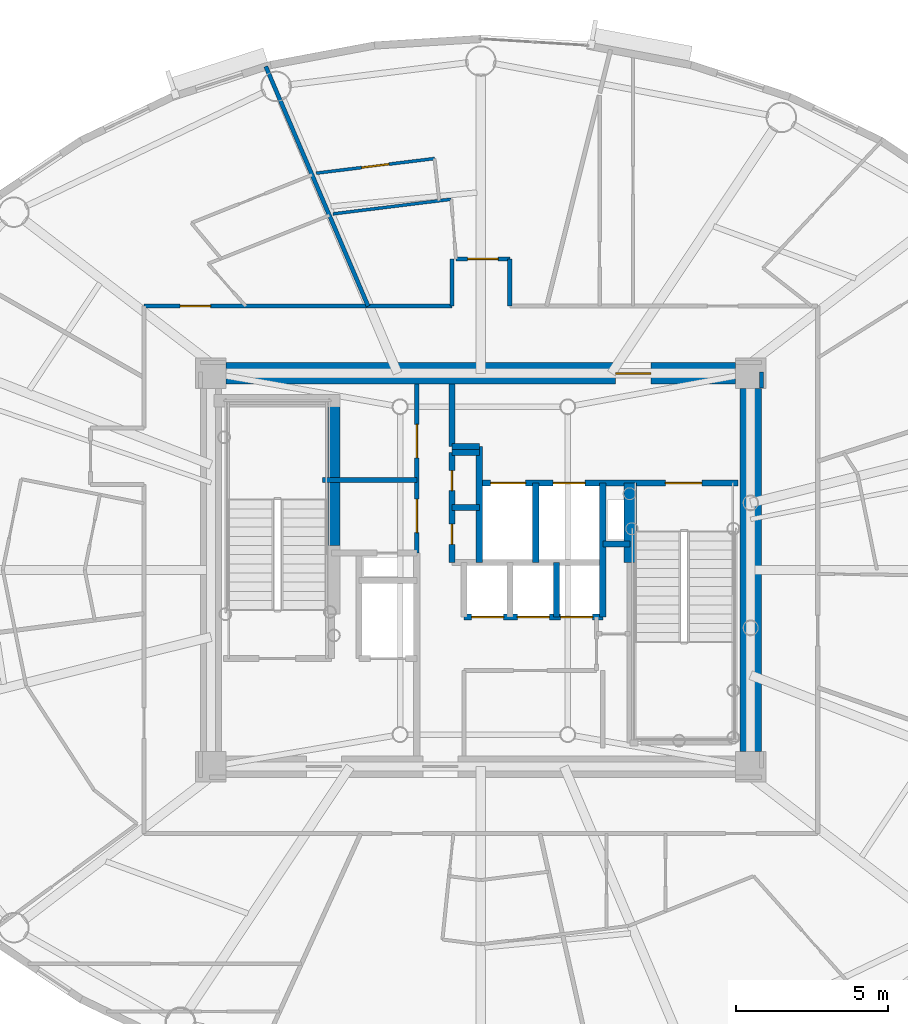
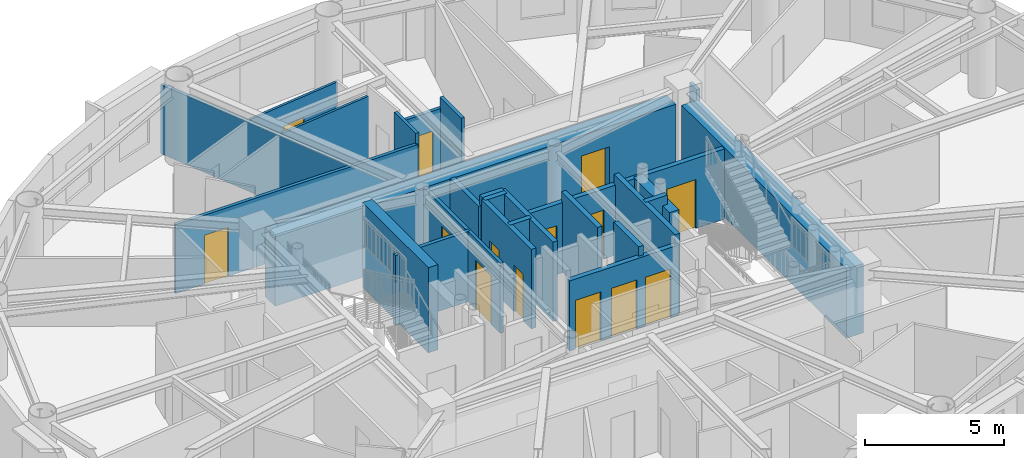
# One storey, part 8 of 17: 26 walls, 14 doors, 14 openings.
"""IFC4 building model written with IfcOpenShell, lengths in metres."""

from ifc_helpers import new_model, si_unit, direction, frame, frame_2d, origin, origin_2d, place, context, subcontext, project, spatial, rectangle, extrude, source, transform, mapped, material, layer, layer_set, type_object, element, fill, save


model = new_model("IFC4")

# Units and contexts
model_context = context("Model", 3, precision=1e-05, world=origin(), true_north=direction((0.0, 1.0)))
body_context = subcontext(model_context, "Body", "Model", "MODEL_VIEW")
ifc_project = project(units=[si_unit("LENGTHUNIT", "METRE"), si_unit("AREAUNIT", "SQUARE_METRE"), si_unit("VOLUMEUNIT", "CUBIC_METRE"), si_unit("PLANEANGLEUNIT", "RADIAN"), si_unit("MASSUNIT", "GRAM", prefix="KILO")], contexts=[model_context])

# Site, building, storey
site_placement = place(None, origin())
site = spatial("IfcSite", under=ifc_project, at=site_placement, CompositionType="ELEMENT")
building_placement = place(site_placement, origin())
building = spatial("IfcBuilding", under=site, at=building_placement, Name="Linh Dai School and Residence Tower", CompositionType="ELEMENT")
storey_placement = place(building_placement, frame((0.0, 0.0, 299.25)))
storey = spatial("IfcBuildingStorey", under=building, at=storey_placement, Name="L74", CompositionType="ELEMENT", Elevation=299.25)

# Wall, opening, door
ifc_material_1 = material(Name="Autoclaved Aerated Concrete Blockwork", Category="masonry")
ifc_layer_1 = layer(ifc_material_1, 0.135009765625)
ifc_layer_set_1 = layer_set([ifc_layer_1], Name="Autoclaved Aerated Concrete Blockwork")
wall_type_1 = type_object("IfcWallType", Name="IW-CORR-135-EI90", PredefinedType="PARTITIONING", material=ifc_layer_set_1)
wall_1_placement = place(storey_placement, frame((24.949951171875, 35.64990234375, 0.0), z_axis=(0.0, 0.0, 1.0), x_axis=(1.0, 0.0, 0.0)))
wall_1 = element("IfcWall", 1, at=wall_1_placement, inside=storey, type_object=wall_type_1, Name="L74 Interior Partition Wall 019", PredefinedType="PARTITIONING", context=body_context, shape_type="SweptSolid", body=[
    extrude(rectangle(XDim=10.10009765625, YDim=0.135009765625, at=frame_2d((5.050048828125, 0.0))), origin(), (0.0, 0.0, 1.0), 3.034912109375),
])
opening_1_placement = place(wall_1_placement, frame((1.192138671875, 0.0, 0.0)))
opening_1 = element("IfcOpeningElement", 2, at=opening_1_placement, cuts=wall_1, Name="Opening D03", PredefinedType="OPENING", context=body_context, shape_type="SweptSolid", body=[
    extrude(rectangle(XDim=1.0, YDim=2.14990234375, at=origin_2d()), frame((0.5, 0.07763671875, 1.074951171875), z_axis=(0.0, -1.0, 0.0), x_axis=(1.0, 0.0, 0.0)), (0.0, 0.0, 1.0), 0.155029296875),
])
ifc_material_2 = material(Name="Fire-Rated Solid Timber Entrance Door", Category="wood")
door_type_1 = type_object("IfcDoorType", Name="DR-FLAT-1000x2150-FD60S", OperationType="NOTDEFINED", PredefinedType="DOOR", material=ifc_material_2)
shared_shape_1 = source(origin(), body_context, "Body", "SweptSolid", [
    extrude(rectangle(XDim=1.0, YDim=2.14990234375, at=origin_2d()), frame((0.5, 0.02490234375, 1.074951171875), z_axis=(0.0, -1.0, 0.0), x_axis=(1.0, 0.0, 0.0)), (0.0, 0.0, 1.0), 0.050048828125),
])
door_1_placement = place(opening_1_placement, origin())
door_1 = element("IfcDoor", 3, at=door_1_placement, inside=storey, type_object=door_type_1, Name="L74 U7402 Apartment Entrance Door", OperationType="SINGLE_SWING_LEFT", OverallHeight=2.14990234375, OverallWidth=1.0, PredefinedType="DOOR", context=body_context, shape_type="MappedRepresentation", body=[
    mapped(shared_shape_1, transform((0.0, 0.0, 0.0), x_axis=(1.0, 0.0, 0.0), y_axis=(0.0, 1.0, 0.0), z_axis=(0.0, 0.0, 1.0), scale=1.0)),
])
fill(opening_1, door_1)

# Wall
wall_2_placement = place(storey_placement, frame((28.9462890625, 43.512939453125, 0.0), z_axis=(0.0, 0.0, 1.0), x_axis=(0.392833513872, -0.919609607594, 0.0)))
element("IfcWall", 4, at=wall_2_placement, inside=storey, type_object=wall_type_1, Name="L74 Interior Partition Wall 026", PredefinedType="PARTITIONING", context=body_context, shape_type="SweptSolid", body=[
    extrude(rectangle(XDim=8.55029296875, YDim=0.135009765625, at=frame_2d((4.275146484375, 0.0))), origin(), (0.0, 0.0, 1.0), 3.034912109375),
])

# Wall, openings, doors
wall_3_placement = place(storey_placement, frame((33.89990234375, 27.56005859375, 0.0), z_axis=(0.0, 0.0, 1.0), x_axis=(0.0, 1.0, 0.0)))
wall_3 = element("IfcWall", 5, at=wall_3_placement, inside=storey, type_object=wall_type_1, Name="L74 Interior Partition Wall 036", PredefinedType="PARTITIONING", context=body_context, shape_type="SweptSolid", body=[
    extrude(rectangle(XDim=5.5400390625, YDim=0.135009765625, at=frame_2d((2.77001953125, 0.0))), origin(), (0.0, 0.0, 1.0), 3.0849609375),
])
opening_2_placement = place(wall_3_placement, frame((0.6650390625, 0.0, 0.0)))
opening_2 = element("IfcOpeningElement", 6, at=opening_2_placement, cuts=wall_3, Name="Opening D07", PredefinedType="OPENING", context=body_context, shape_type="SweptSolid", body=[
    extrude(rectangle(XDim=1.10009765625, YDim=2.14990234375, at=origin_2d()), frame((0.550048828125, 0.07763671875, 1.074951171875), z_axis=(0.0, -1.0, 0.0), x_axis=(1.0, 0.0, 0.0)), (0.0, 0.0, 1.0), 0.155029296875),
])
opening_3_placement = place(wall_3_placement, frame((3.117431640625, 0.0, 0.0)))
opening_3 = element("IfcOpeningElement", 7, at=opening_3_placement, cuts=wall_3, Name="Opening D07", PredefinedType="OPENING", context=body_context, shape_type="SweptSolid", body=[
    extrude(rectangle(XDim=1.10009765625, YDim=2.14990234375, at=origin_2d()), frame((0.550048828125, 0.07763671875, 1.074951171875), z_axis=(0.0, -1.0, 0.0), x_axis=(1.0, 0.0, 0.0)), (0.0, 0.0, 1.0), 0.155029296875),
])
ifc_material_3 = material(Name="Fire-Rated Louvred Steel Plant Door", Category="steel")
door_type_2 = type_object("IfcDoorType", Name="DR-PLT-1100x2150-FD60S", OperationType="NOTDEFINED", PredefinedType="DOOR", material=ifc_material_3)
shared_shape_2 = source(origin(), body_context, "Body", "SweptSolid", [
    extrude(rectangle(XDim=1.10009765625, YDim=2.14990234375, at=origin_2d()), frame((0.550048828125, 0.02490234375, 1.074951171875), z_axis=(0.0, -1.0, 0.0), x_axis=(1.0, 0.0, 0.0)), (0.0, 0.0, 1.0), 0.050048828125),
])
door_2_placement = place(opening_2_placement, origin())
door_2 = element("IfcDoor", 8, at=door_2_placement, inside=storey, type_object=door_type_2, Name="L74 BMS and Data Room Door", OperationType="SINGLE_SWING_LEFT", OverallHeight=2.14990234375, OverallWidth=1.10009765625, PredefinedType="DOOR", context=body_context, shape_type="MappedRepresentation", body=[
    mapped(shared_shape_2, transform((0.0, 0.0, 0.0), x_axis=(1.0, 0.0, 0.0), y_axis=(0.0, 1.0, 0.0), z_axis=(0.0, 0.0, 1.0), scale=1.0)),
])
fill(opening_2, door_2)
door_3_placement = place(opening_3_placement, origin())
door_3 = element("IfcDoor", 9, at=door_3_placement, inside=storey, type_object=door_type_2, Name="L74 Housekeeping Linen Room Door", OperationType="SINGLE_SWING_RIGHT", OverallHeight=2.14990234375, OverallWidth=1.10009765625, PredefinedType="DOOR", context=body_context, shape_type="MappedRepresentation", body=[
    mapped(shared_shape_2, transform((0.0, 0.0, 0.0), x_axis=(1.0, 0.0, 0.0), y_axis=(0.0, 1.0, 0.0), z_axis=(0.0, 0.0, 1.0), scale=1.0)),
])
fill(opening_3, door_3)

# Wall
wall_4_placement = place(storey_placement, frame((35.050048828125, 35.64990234375, 0.0), z_axis=(0.0, 0.0, 1.0), x_axis=(0.0, 1.0, 0.0)))
element("IfcWall", 10, at=wall_4_placement, inside=storey, type_object=wall_type_1, Name="L74 Interior Partition Wall 048", PredefinedType="PARTITIONING", context=body_context, shape_type="SweptSolid", body=[
    extrude(rectangle(XDim=1.550048828125, YDim=0.135009765625, at=frame_2d((0.77490234375, 0.0))), origin(), (0.0, 0.0, 1.0), 3.5),
])

# Wall, opening, door
wall_5_placement = place(storey_placement, frame((35.185546875, 37.199951171875, 0.0), z_axis=(0.0, 0.0, 1.0), x_axis=(1.0, 0.0, 0.0)))
wall_5 = element("IfcWall", 11, at=wall_5_placement, inside=storey, type_object=wall_type_1, Name="L74 Interior Partition Wall 049", PredefinedType="PARTITIONING", context=body_context, shape_type="SweptSolid", body=[
    extrude(rectangle(XDim=1.764404296875, YDim=0.135009765625, at=frame_2d((0.88232421875, 0.0))), origin(), (0.0, 0.0, 1.0), 3.034912109375),
])
opening_4_placement = place(wall_5_placement, frame((0.382080078125, 0.0, 0.0)))
opening_4 = element("IfcOpeningElement", 12, at=opening_4_placement, cuts=wall_5, Name="Opening D03", PredefinedType="OPENING", context=body_context, shape_type="SweptSolid", body=[
    extrude(rectangle(XDim=1.0, YDim=2.14990234375, at=origin_2d()), frame((0.5, 0.07763671875, 1.074951171875), z_axis=(0.0, -1.0, 0.0), x_axis=(1.0, 0.0, 0.0)), (0.0, 0.0, 1.0), 0.155029296875),
])
door_4_placement = place(opening_4_placement, origin())
door_4 = element("IfcDoor", 13, at=door_4_placement, inside=storey, type_object=door_type_1, Name="L74 U7401 Apartment Entrance Door", OperationType="SINGLE_SWING_RIGHT", OverallHeight=2.14990234375, OverallWidth=1.0, PredefinedType="DOOR", context=body_context, shape_type="MappedRepresentation", body=[
    mapped(shared_shape_1, transform((0.0, 0.0, 0.0), x_axis=(1.0, 0.0, 0.0), y_axis=(0.0, 1.0, 0.0), z_axis=(0.0, 0.0, 1.0), scale=1.0)),
])
fill(opening_4, door_4)

# Walls
wall_6_placement = place(storey_placement, frame((36.949951171875, 35.64990234375, 0.0), z_axis=(0.0, 0.0, 1.0), x_axis=(0.0, 1.0, 0.0)))
element("IfcWall", 14, at=wall_6_placement, inside=storey, type_object=wall_type_1, Name="L74 Interior Partition Wall 058", PredefinedType="PARTITIONING", context=body_context, shape_type="SweptSolid", body=[
    extrude(rectangle(XDim=1.550048828125, YDim=0.135009765625, at=frame_2d((0.77490234375, 0.0))), origin(), (0.0, 0.0, 1.0), 3.5),
])
wall_7_placement = place(storey_placement, frame((45.199951171875, 32.9599609375, 0.0), z_axis=(0.0, 0.0, 1.0), x_axis=(0.0, 1.0, 0.0)))
element("IfcWall", 15, at=wall_7_placement, inside=storey, type_object=wall_type_1, Name="L74 Interior Partition Wall 099", PredefinedType="PARTITIONING", context=body_context, shape_type="SweptSolid", body=[
    extrude(rectangle(XDim=0.532470703125, YDim=0.135009765625, at=frame_2d((0.26611328125, 0.0))), origin(), (0.0, 0.0, 1.0), 3.5),
])
ifc_layer_2 = layer(ifc_material_1, 0.14990234375)
ifc_layer_set_2 = layer_set([ifc_layer_2], Name="Autoclaved Aerated Concrete Blockwork")
wall_type_2 = type_object("IfcWallType", Name="IW-SCH-150-EI60", PredefinedType="PARTITIONING", material=ifc_layer_set_2)
wall_8_placement = place(storey_placement, frame((30.800048828125, 29.949951171875, 0.0), z_axis=(0.0, 0.0, 1.0), x_axis=(1.0, 0.0, 0.0)))
element("IfcWall", 16, at=wall_8_placement, inside=storey, type_object=wall_type_2, Name="L74 Interior Partition Wall 028", PredefinedType="PARTITIONING", context=body_context, shape_type="SweptSolid", body=[
    extrude(rectangle(XDim=3.099853515625, YDim=0.14990234375, at=frame_2d((1.5498046875, 0.0))), origin(), (0.0, 0.0, 1.0), 3.0849609375),
])

# Wall, openings, doors
ifc_material_4 = material(Name="Concrete B45 (C35/45)", Category="concrete")
ifc_layer_3 = layer(ifc_material_4, 0.199951171875)
ifc_layer_set_3 = layer_set([ifc_layer_3], Name="Concrete B45 (C35/45)")
wall_type_3 = type_object("IfcWallType", Name="IW-SHAFT-200-EI120", PredefinedType="PARTITIONING", material=ifc_layer_set_3)
wall_9_placement = place(storey_placement, frame((35.050048828125, 27.25, 0.0), z_axis=(0.0, 0.0, 1.0), x_axis=(0.0, 1.0, 0.0)))
wall_9 = element("IfcWall", 17, at=wall_9_placement, inside=storey, type_object=wall_type_3, Name="L74 Interior Partition Wall 042", PredefinedType="PARTITIONING", context=body_context, shape_type="SweptSolid", body=[
    extrude(rectangle(XDim=3.60009765625, YDim=0.199951171875, at=frame_2d((1.800048828125, 0.0))), origin(), (0.0, 0.0, 1.0), 3.5),
])
opening_5_placement = place(wall_9_placement, frame((0.590087890625, 0.0, 0.0)))
opening_5 = element("IfcOpeningElement", 18, at=opening_5_placement, cuts=wall_9, Name="Opening AD1", PredefinedType="OPENING", context=body_context, shape_type="SweptSolid", body=[
    extrude(rectangle(XDim=0.659912109375, YDim=2.050048828125, at=origin_2d()), frame((0.330078125, 0.10986328125, 1.02490234375), z_axis=(0.0, -1.0, 0.0), x_axis=(1.0, 0.0, 0.0)), (0.0, 0.0, 1.0), 0.219970703125),
])
opening_6_placement = place(wall_9_placement, frame((2.35009765625, 0.0, 0.0)))
opening_6 = element("IfcOpeningElement", 19, at=opening_6_placement, cuts=wall_9, Name="Opening AD1", PredefinedType="OPENING", context=body_context, shape_type="SweptSolid", body=[
    extrude(rectangle(XDim=0.659912109375, YDim=2.050048828125, at=origin_2d()), frame((0.330078125, 0.10986328125, 1.02490234375), z_axis=(0.0, -1.0, 0.0), x_axis=(1.0, 0.0, 0.0)), (0.0, 0.0, 1.0), 0.219970703125),
])
ifc_material_5 = material(Name="Fire-Rated Steel Riser Access Door", Category="steel")
door_type_3 = type_object("IfcDoorType", Name="DR-ACC-660x2050-FD90S", OperationType="NOTDEFINED", PredefinedType="USERDEFINED", material=ifc_material_5)
shared_shape_3 = source(origin(), body_context, "Body", "SweptSolid", [
    extrude(rectangle(XDim=0.659912109375, YDim=2.050048828125, at=origin_2d()), frame((0.330078125, 0.02490234375, 1.02490234375), z_axis=(0.0, -1.0, 0.0), x_axis=(1.0, 0.0, 0.0)), (0.0, 0.0, 1.0), 0.050048828125),
])
door_5_placement = place(opening_5_placement, origin())
door_5 = element("IfcDoor", 20, at=door_5_placement, inside=storey, type_object=door_type_3, Name="L74 Telecom and Data Riser Access Door", ObjectType="ACCESS DOOR", OperationType="SINGLE_SWING_RIGHT", OverallHeight=2.050048828125, OverallWidth=0.659912109375, PredefinedType="USERDEFINED", context=body_context, shape_type="MappedRepresentation", body=[
    mapped(shared_shape_3, transform((0.0, 0.0, 0.0), x_axis=(1.0, 0.0, 0.0), y_axis=(0.0, 1.0, 0.0), z_axis=(0.0, 0.0, 1.0), scale=1.0)),
])
fill(opening_5, door_5)
door_6_placement = place(opening_6_placement, origin())
door_6 = element("IfcDoor", 21, at=door_6_placement, inside=storey, type_object=door_type_3, Name="L74 Mechanical and Plumbing Riser Access Door", ObjectType="ACCESS DOOR", OperationType="SINGLE_SWING_LEFT", OverallHeight=2.050048828125, OverallWidth=0.659912109375, PredefinedType="USERDEFINED", context=body_context, shape_type="MappedRepresentation", body=[
    mapped(shared_shape_3, transform((0.0, 0.0, 0.0), x_axis=(1.0, 0.0, 0.0), y_axis=(0.0, 1.0, 0.0), z_axis=(0.0, 0.0, 1.0), scale=1.0)),
])
fill(opening_6, door_6)

# Walls
for number, where, z_axis, x_axis, name in (
    (22, (35.050048828125, 29.050048828125, 0.0), (0.0, 0.0, 1.0), (1.0, 0.0, 0.0), "L74 Interior Partition Wall 044"),
    (23, (35.050048828125, 30.85009765625, 0.0), (0.0, 0.0, 1.0), (1.0, 0.0, 0.0), "L74 Interior Partition Wall 045"),
):
    element("IfcWall", number, at=place(storey_placement, frame(where, z_axis=z_axis, x_axis=x_axis)), inside=storey, type_object=wall_type_3, Name=name, PredefinedType="PARTITIONING", context=body_context, shape_type="SweptSolid", body=[
        extrude(rectangle(XDim=0.89990234375, YDim=0.199951171875, at=frame_2d((0.449951171875, 0.0))), origin(), (0.0, 0.0, 1.0), 3.5),
    ])
wall_10_placement = place(storey_placement, frame((35.050048828125, 31.050048828125, 0.0), z_axis=(0.0, 0.0, 1.0), x_axis=(0.0, 1.0, 0.0)))
element("IfcWall", 24, at=wall_10_placement, inside=storey, type_object=wall_type_3, Name="L74 Interior Partition Wall 046", PredefinedType="PARTITIONING", context=body_context, shape_type="SweptSolid", body=[
    extrude(rectangle(XDim=2.050048828125, YDim=0.199951171875, at=frame_2d((1.02490234375, 0.0))), origin(), (0.0, 0.0, 1.0), 3.0849609375),
])
wall_11_placement = place(storey_placement, frame((35.050048828125, 31.050048828125, 0.0), z_axis=(0.0, 0.0, 1.0), x_axis=(1.0, 0.0, 0.0)))
element("IfcWall", 25, at=wall_11_placement, inside=storey, type_object=wall_type_3, Name="L74 Interior Partition Wall 047", PredefinedType="PARTITIONING", context=body_context, shape_type="SweptSolid", body=[
    extrude(rectangle(XDim=0.89990234375, YDim=0.199951171875, at=frame_2d((0.449951171875, 0.0))), origin(), (0.0, 0.0, 1.0), 3.5),
])

# Wall, openings, doors
wall_12_placement = place(storey_placement, frame((35.449951171875, 25.449951171875, 0.0), z_axis=(0.0, 0.0, 1.0), x_axis=(1.0, 0.0, 0.0)))
wall_12 = element("IfcWall", 26, at=wall_12_placement, inside=storey, type_object=wall_type_3, Name="L74 Interior Partition Wall 053", PredefinedType="PARTITIONING", context=body_context, shape_type="SweptSolid", body=[
    extrude(rectangle(XDim=4.550048828125, YDim=0.199951171875, at=frame_2d((2.27490234375, 0.0))), origin(), (0.0, 0.0, 1.0), 3.0849609375),
])
opening_7_placement = place(wall_12_placement, frame((0.25, 0.0, 0.0)))
opening_7 = element("IfcOpeningElement", 27, at=opening_7_placement, cuts=wall_12, Name="Opening LD-PL7", PredefinedType="OPENING", context=body_context, shape_type="SweptSolid", body=[
    extrude(rectangle(XDim=1.050048828125, YDim=2.14990234375, at=origin_2d()), frame((0.52490234375, 0.10986328125, 1.074951171875), z_axis=(0.0, -1.0, 0.0), x_axis=(1.0, 0.0, 0.0)), (0.0, 0.0, 1.0), 0.219970703125),
])
opening_8_placement = place(wall_12_placement, frame((1.7451171875, 0.0, 0.0)))
opening_8 = element("IfcOpeningElement", 28, at=opening_8_placement, cuts=wall_12, Name="Opening LD-PL8", PredefinedType="OPENING", context=body_context, shape_type="SweptSolid", body=[
    extrude(rectangle(XDim=1.050048828125, YDim=2.14990234375, at=origin_2d()), frame((0.52490234375, 0.10986328125, 1.074951171875), z_axis=(0.0, -1.0, 0.0), x_axis=(1.0, 0.0, 0.0)), (0.0, 0.0, 1.0), 0.219970703125),
])
opening_9_placement = place(wall_12_placement, frame((3.1650390625, 0.0, 0.0)))
opening_9 = element("IfcOpeningElement", 29, at=opening_9_placement, cuts=wall_12, Name="Opening LD-PL9", PredefinedType="OPENING", context=body_context, shape_type="SweptSolid", body=[
    extrude(rectangle(XDim=1.050048828125, YDim=2.14990234375, at=origin_2d()), frame((0.52490234375, 0.10986328125, 1.074951171875), z_axis=(0.0, -1.0, 0.0), x_axis=(1.0, 0.0, 0.0)), (0.0, 0.0, 1.0), 0.219970703125),
])
ifc_material_6 = material(Name="Brushed Stainless Steel Lift Landing Door", Category="steel")
door_type_4 = type_object("IfcDoorType", Name="DR-LD-PASS-1050x2150", OperationType="DOUBLE_DOOR_SLIDING", PredefinedType="USERDEFINED", material=ifc_material_6)
shared_shape_4 = source(origin(), body_context, "Body", "SweptSolid", [
    extrude(rectangle(XDim=1.050048828125, YDim=2.14990234375, at=origin_2d()), frame((0.52490234375, 0.02490234375, 1.074951171875), z_axis=(0.0, -1.0, 0.0), x_axis=(1.0, 0.0, 0.0)), (0.0, 0.0, 1.0), 0.050048828125),
])
door_7_placement = place(opening_7_placement, origin())
door_7 = element("IfcDoor", 30, at=door_7_placement, inside=storey, type_object=door_type_4, Name="L74 Lift PL7 Sliding Landing Door", ObjectType="LANDING DOOR", OperationType="DOUBLE_DOOR_SLIDING", OverallHeight=2.14990234375, OverallWidth=1.050048828125, PredefinedType="USERDEFINED", context=body_context, shape_type="MappedRepresentation", body=[
    mapped(shared_shape_4, transform((0.0, 0.0, 0.0), x_axis=(1.0, 0.0, 0.0), y_axis=(0.0, 1.0, 0.0), z_axis=(0.0, 0.0, 1.0), scale=1.0)),
])
fill(opening_7, door_7)
door_8_placement = place(opening_8_placement, origin())
door_8 = element("IfcDoor", 31, at=door_8_placement, inside=storey, type_object=door_type_4, Name="L74 Lift PL8 Sliding Landing Door", ObjectType="LANDING DOOR", OperationType="DOUBLE_DOOR_SLIDING", OverallHeight=2.14990234375, OverallWidth=1.050048828125, PredefinedType="USERDEFINED", context=body_context, shape_type="MappedRepresentation", body=[
    mapped(shared_shape_4, transform((0.0, 0.0, 0.0), x_axis=(1.0, 0.0, 0.0), y_axis=(0.0, 1.0, 0.0), z_axis=(0.0, 0.0, 1.0), scale=1.0)),
])
fill(opening_8, door_8)
door_9_placement = place(opening_9_placement, origin())
door_9 = element("IfcDoor", 32, at=door_9_placement, inside=storey, type_object=door_type_4, Name="L74 Lift PL9 Sliding Landing Door", ObjectType="LANDING DOOR", OperationType="DOUBLE_DOOR_SLIDING", OverallHeight=2.14990234375, OverallWidth=1.050048828125, PredefinedType="USERDEFINED", context=body_context, shape_type="MappedRepresentation", body=[
    mapped(shared_shape_4, transform((0.0, 0.0, 0.0), x_axis=(1.0, 0.0, 0.0), y_axis=(0.0, 1.0, 0.0), z_axis=(0.0, 0.0, 1.0), scale=1.0)),
])
fill(opening_9, door_9)

# Wall
wall_13_placement = place(storey_placement, frame((35.949951171875, 27.25, 0.0), z_axis=(0.0, 0.0, 1.0), x_axis=(0.0, 1.0, 0.0)))
element("IfcWall", 33, at=wall_13_placement, inside=storey, type_object=wall_type_3, Name="L74 Interior Partition Wall 054", PredefinedType="PARTITIONING", context=body_context, shape_type="SweptSolid", body=[
    extrude(rectangle(XDim=3.800048828125, YDim=0.199951171875, at=frame_2d((1.89990234375, 0.0))), origin(), (0.0, 0.0, 1.0), 3.5),
])

# Wall, openings, doors
wall_14_placement = place(storey_placement, frame((35.949951171875, 29.85009765625, 0.0), z_axis=(0.0, 0.0, 1.0), x_axis=(1.0, 0.0, 0.0)))
wall_14 = element("IfcWall", 34, at=wall_14_placement, inside=storey, type_object=wall_type_3, Name="L74 Interior Partition Wall 055", PredefinedType="PARTITIONING", context=body_context, shape_type="SweptSolid", body=[
    extrude(rectangle(XDim=8.489990234375, YDim=0.199951171875, at=frame_2d((4.2451171875, 0.0))), origin(), (0.0, 0.0, 1.0), 3.0849609375),
])
opening_10_placement = place(wall_14_placement, frame((6.10009765625, 0.0, 0.0)))
opening_10 = element("IfcOpeningElement", 35, at=opening_10_placement, cuts=wall_14, Name="Opening D01", PredefinedType="OPENING", context=body_context, shape_type="SweptSolid", body=[
    extrude(rectangle(XDim=1.199951171875, YDim=2.14990234375, at=origin_2d()), frame((0.60009765625, 0.10986328125, 1.074951171875), z_axis=(0.0, -1.0, 0.0), x_axis=(1.0, 0.0, 0.0)), (0.0, 0.0, 1.0), 0.219970703125),
])
opening_11_placement = place(wall_14_placement, frame((0.3701171875, 0.0, 0.0)))
opening_11 = element("IfcOpeningElement", 36, at=opening_11_placement, cuts=wall_14, Name="Opening LD-FF1", PredefinedType="OPENING", context=body_context, shape_type="SweptSolid", body=[
    extrude(rectangle(XDim=1.14990234375, YDim=2.14990234375, at=origin_2d()), frame((0.574951171875, 0.10986328125, 1.074951171875), z_axis=(0.0, -1.0, 0.0), x_axis=(1.0, 0.0, 0.0)), (0.0, 0.0, 1.0), 0.219970703125),
])
opening_12_placement = place(wall_14_placement, frame((2.425048828125, 0.0, 0.0)))
opening_12 = element("IfcOpeningElement", 37, at=opening_12_placement, cuts=wall_14, Name="Opening LD-SV1", PredefinedType="OPENING", context=body_context, shape_type="SweptSolid", body=[
    extrude(rectangle(XDim=1.050048828125, YDim=2.14990234375, at=origin_2d()), frame((0.52490234375, 0.10986328125, 1.074951171875), z_axis=(0.0, -1.0, 0.0), x_axis=(1.0, 0.0, 0.0)), (0.0, 0.0, 1.0), 0.219970703125),
])
ifc_material_7 = material(Name="Fire-Rated Steel Door Leaf", Category="steel")
door_type_5 = type_object("IfcDoorType", Name="DR-STAIR-1200x2150-FD90S", OperationType="NOTDEFINED", PredefinedType="DOOR", material=ifc_material_7)
shared_shape_5 = source(origin(), body_context, "Body", "SweptSolid", [
    extrude(rectangle(XDim=1.199951171875, YDim=2.14990234375, at=origin_2d()), frame((0.60009765625, 0.02490234375, 1.074951171875), z_axis=(0.0, -1.0, 0.0), x_axis=(1.0, 0.0, 0.0)), (0.0, 0.0, 1.0), 0.050048828125),
])
door_10_placement = place(opening_10_placement, origin())
door_10 = element("IfcDoor", 38, at=door_10_placement, inside=storey, type_object=door_type_5, Name="L74 Core Smokeproof Exit Stair ST2 Door", OperationType="SINGLE_SWING_LEFT", OverallHeight=2.14990234375, OverallWidth=1.199951171875, PredefinedType="DOOR", context=body_context, shape_type="MappedRepresentation", body=[
    mapped(shared_shape_5, transform((0.0, 0.0, 0.0), x_axis=(1.0, 0.0, 0.0), y_axis=(0.0, 1.0, 0.0), z_axis=(0.0, 0.0, 1.0), scale=1.0)),
])
fill(opening_10, door_10)
ifc_material_8 = material(Name="Fire-Rated Stainless Steel Firefighting Lift Door", Category="steel")
door_type_6 = type_object("IfcDoorType", Name="DR-LD-FF-1150x2150-FD120", OperationType="DOUBLE_DOOR_SLIDING", PredefinedType="USERDEFINED", material=ifc_material_8)
shared_shape_6 = source(origin(), body_context, "Body", "SweptSolid", [
    extrude(rectangle(XDim=1.14990234375, YDim=2.14990234375, at=origin_2d()), frame((0.574951171875, 0.02490234375, 1.074951171875), z_axis=(0.0, -1.0, 0.0), x_axis=(1.0, 0.0, 0.0)), (0.0, 0.0, 1.0), 0.050048828125),
])
door_11_placement = place(opening_11_placement, origin())
door_11 = element("IfcDoor", 39, at=door_11_placement, inside=storey, type_object=door_type_6, Name="L74 Lift FF1 Sliding Landing Door", ObjectType="LANDING DOOR", OperationType="DOUBLE_DOOR_SLIDING", OverallHeight=2.14990234375, OverallWidth=1.14990234375, PredefinedType="USERDEFINED", context=body_context, shape_type="MappedRepresentation", body=[
    mapped(shared_shape_6, transform((0.0, 0.0, 0.0), x_axis=(1.0, 0.0, 0.0), y_axis=(0.0, 1.0, 0.0), z_axis=(0.0, 0.0, 1.0), scale=1.0)),
])
fill(opening_11, door_11)
door_12_placement = place(opening_12_placement, origin())
door_12 = element("IfcDoor", 40, at=door_12_placement, inside=storey, type_object=door_type_4, Name="L74 Lift SV1 Sliding Landing Door", ObjectType="LANDING DOOR", OperationType="DOUBLE_DOOR_SLIDING", OverallHeight=2.14990234375, OverallWidth=1.050048828125, PredefinedType="USERDEFINED", context=body_context, shape_type="MappedRepresentation", body=[
    mapped(shared_shape_4, transform((0.0, 0.0, 0.0), x_axis=(1.0, 0.0, 0.0), y_axis=(0.0, 1.0, 0.0), z_axis=(0.0, 0.0, 1.0), scale=1.0)),
])
fill(opening_12, door_12)

# Walls
wall_15_placement = place(storey_placement, frame((37.800048828125, 27.25, 0.0), z_axis=(0.0, 0.0, 1.0), x_axis=(0.0, 1.0, 0.0)))
element("IfcWall", 41, at=wall_15_placement, inside=storey, type_object=wall_type_3, Name="L74 Interior Partition Wall 061", PredefinedType="PARTITIONING", context=body_context, shape_type="SweptSolid", body=[
    extrude(rectangle(XDim=2.60009765625, YDim=0.199951171875, at=frame_2d((1.300048828125, 0.0))), origin(), (0.0, 0.0, 1.0), 3.5),
])
wall_16_placement = place(storey_placement, frame((38.47998046875, 25.449951171875, 0.0), z_axis=(0.0, 0.0, 1.0), x_axis=(0.0, 1.0, 0.0)))
element("IfcWall", 42, at=wall_16_placement, inside=storey, type_object=wall_type_3, Name="L74 Interior Partition Wall 064", PredefinedType="PARTITIONING", context=body_context, shape_type="SweptSolid", body=[
    extrude(rectangle(XDim=1.800048828125, YDim=0.199951171875, at=frame_2d((0.89990234375, 0.0))), origin(), (0.0, 0.0, 1.0), 3.5),
])
wall_17_placement = place(storey_placement, frame((40.0, 25.449951171875, 0.0), z_axis=(0.0, 0.0, 1.0), x_axis=(0.0, 1.0, 0.0)))
element("IfcWall", 43, at=wall_17_placement, inside=storey, type_object=wall_type_3, Name="L74 Interior Partition Wall 069", PredefinedType="PARTITIONING", context=body_context, shape_type="SweptSolid", body=[
    extrude(rectangle(XDim=4.400146484375, YDim=0.199951171875, at=frame_2d((2.2001953125, 0.0))), origin(), (0.0, 0.0, 1.0), 3.5),
])
wall_18_placement = place(storey_placement, frame((40.0, 27.85009765625, 0.0), z_axis=(0.0, 0.0, 1.0), x_axis=(1.0, 0.0, 0.0)))
element("IfcWall", 44, at=wall_18_placement, inside=storey, type_object=wall_type_3, Name="L74 Interior Partition Wall 070", PredefinedType="PARTITIONING", context=body_context, shape_type="SweptSolid", body=[
    extrude(rectangle(XDim=0.89990234375, YDim=0.199951171875, at=frame_2d((0.449951171875, 0.0))), origin(), (0.0, 0.0, 1.0), 3.5),
])

# Wall, opening, door
ifc_material_9 = material(Name="Gypsum Plasterboard Acoustic Stud Partition", Category="masonry")
ifc_layer_4 = layer(ifc_material_9, 0.10009765625)
ifc_layer_set_4 = layer_set([ifc_layer_4], Name="Gypsum Plasterboard Acoustic Stud Partition")
wall_type_4 = type_object("IfcWallType", Name="IW-UNIT-100", PredefinedType="PARTITIONING", material=ifc_layer_set_4)
wall_19_placement = place(storey_placement, frame((30.600830078125, 40.011474609375, 0.0), z_axis=(0.0, 0.0, 1.0), x_axis=(0.992391758007, 0.123120260886, 0.0)))
wall_19 = element("IfcWall", 45, at=wall_19_placement, inside=storey, type_object=wall_type_4, Name="L74 Interior Partition Wall 027", PredefinedType="PARTITIONING", context=body_context, shape_type="SweptSolid", body=[
    extrude(rectangle(XDim=3.910400390625, YDim=0.10009765625, at=frame_2d((1.955078125, 0.0))), origin(), (0.0, 0.0, 1.0), 3.034912109375),
])
opening_13_placement = place(wall_19_placement, frame((1.505126953125, 0.0, 0.0)))
opening_13 = element("IfcOpeningElement", 46, at=opening_13_placement, cuts=wall_19, Name="Opening D05", PredefinedType="OPENING", context=body_context, shape_type="SweptSolid", body=[
    extrude(rectangle(XDim=0.89990234375, YDim=2.10009765625, at=origin_2d()), frame((0.449951171875, 0.06005859375, 1.050048828125), z_axis=(0.0, -1.0, 0.0), x_axis=(1.0, 0.0, 0.0)), (0.0, 0.0, 1.0), 0.1201171875),
])
ifc_material_10 = material(Name="Engineered Timber Internal Door", Category="wood")
door_type_7 = type_object("IfcDoorType", Name="DR-INT-900x2100", OperationType="NOTDEFINED", PredefinedType="DOOR", material=ifc_material_10)
shared_shape_7 = source(origin(), body_context, "Body", "SweptSolid", [
    extrude(rectangle(XDim=0.89990234375, YDim=2.10009765625, at=origin_2d()), frame((0.449951171875, 0.02490234375, 1.050048828125), z_axis=(0.0, -1.0, 0.0), x_axis=(1.0, 0.0, 0.0)), (0.0, 0.0, 1.0), 0.050048828125),
])
door_13_placement = place(opening_13_placement, origin())
door_13 = element("IfcDoor", 47, at=door_13_placement, inside=storey, type_object=door_type_7, Name="L74 Apartment U7401 Kitchen Door", OperationType="SINGLE_SWING_RIGHT", OverallHeight=2.10009765625, OverallWidth=0.89990234375, PredefinedType="DOOR", context=body_context, shape_type="MappedRepresentation", body=[
    mapped(shared_shape_7, transform((0.0, 0.0, 0.0), x_axis=(1.0, 0.0, 0.0), y_axis=(0.0, 1.0, 0.0), z_axis=(0.0, 0.0, 1.0), scale=1.0)),
])
fill(opening_13, door_13)

# Walls
wall_20_placement = place(storey_placement, frame((31.154541015625, 38.677001953125, 0.0), z_axis=(0.0, 0.0, 1.0), x_axis=(0.992398620659, 0.123064932921, 0.0)))
element("IfcWall", 48, at=wall_20_placement, inside=storey, type_object=wall_type_4, Name="L74 Interior Partition Wall 031", PredefinedType="PARTITIONING", context=body_context, shape_type="SweptSolid", body=[
    extrude(rectangle(XDim=3.904296875, YDim=0.10009765625, at=frame_2d((1.9521484375, 0.0))), origin(), (0.0, 0.0, 1.0), 3.034912109375),
])
ifc_layer_5 = layer(ifc_material_4, 0.39990234375)
ifc_layer_set_5 = layer_set([ifc_layer_5], Name="Concrete B45 (C35/45)")
wall_type_5 = type_object("IfcWallType", Name="WL-CORE400", PredefinedType="SHEAR", material=ifc_layer_set_5)
wall_21_placement = place(storey_placement, frame((31.179931640625, 27.800048828125, 0.0), z_axis=(0.0, 0.0, 1.0), x_axis=(0.0, 1.0, 0.0)))
element("IfcWall", 49, at=wall_21_placement, inside=storey, type_object=wall_type_5, Name="L74 Core Stair ST1 Bearing Wall E", PredefinedType="SHEAR", context=body_context, shape_type="SweptSolid", body=[
    extrude(rectangle(XDim=4.75, YDim=0.39990234375, at=frame_2d((2.375, 0.0))), origin(), (0.0, 0.0, 1.0), 3.75),
])
wall_22_placement = place(storey_placement, frame((40.89990234375, 27.25, 0.0), z_axis=(0.0, 0.0, 1.0), x_axis=(0.0, 1.0, 0.0)))
element("IfcWall", 50, at=wall_22_placement, inside=storey, type_object=wall_type_5, Name="L74 Internal Core Shear Wall IE", PredefinedType="SHEAR", context=body_context, shape_type="SweptSolid", body=[
    extrude(rectangle(XDim=2.60009765625, YDim=0.39990234375, at=frame_2d((1.300048828125, 0.0))), origin(), (0.0, 0.0, 1.0), 3.10009765625),
])

# Wall, opening, door
ifc_layer_6 = layer(ifc_material_4, 0.699951171875)
ifc_layer_set_6 = layer_set([ifc_layer_6], Name="Concrete B45 (C35/45)")
wall_type_6 = type_object("IfcWallType", Name="WL-CORE700", PredefinedType="SHEAR", material=ifc_layer_set_6)
wall_23_placement = place(storey_placement, frame((27.64990234375, 33.449951171875, 0.0), z_axis=(0.0, 0.0, 1.0), x_axis=(1.0, 0.0, 0.0)))
wall_23 = element("IfcWall", 51, at=wall_23_placement, inside=storey, type_object=wall_type_6, Name="L74 Central Core Shear Wall N", PredefinedType="SHEAR", context=body_context, shape_type="SweptSolid", body=[
    extrude(rectangle(XDim=16.7001953125, YDim=0.699951171875, at=frame_2d((8.35009765625, 0.0))), origin(), (0.0, 0.0, 1.0), 3.050048828125),
])
opening_14_placement = place(wall_23_placement, frame((12.77490234375, 0.0, 0.0)))
opening_14 = element("IfcOpeningElement", 52, at=opening_14_placement, cuts=wall_23, Name="Opening D02", PredefinedType="OPENING", context=body_context, shape_type="SweptSolid", body=[
    extrude(rectangle(XDim=1.14990234375, YDim=2.14990234375, at=origin_2d()), frame((0.574951171875, 0.35986328125, 1.074951171875), z_axis=(0.0, -1.0, 0.0), x_axis=(1.0, 0.0, 0.0)), (0.0, 0.0, 1.0), 0.719970703125),
])
ifc_material_11 = material(Name="Fire-Rated Glazed Steel Lobby Door", Category="steel")
door_type_8 = type_object("IfcDoorType", Name="DR-LOBBY-1150x2150-FD90S", OperationType="NOTDEFINED", PredefinedType="DOOR", material=ifc_material_11)
shared_shape_8 = source(origin(), body_context, "Body", "SweptSolid", [
    extrude(rectangle(XDim=1.14990234375, YDim=2.14990234375, at=origin_2d()), frame((0.574951171875, 0.02490234375, 1.074951171875), z_axis=(0.0, -1.0, 0.0), x_axis=(1.0, 0.0, 0.0)), (0.0, 0.0, 1.0), 0.050048828125),
])
door_14_placement = place(opening_14_placement, origin())
door_14 = element("IfcDoor", 53, at=door_14_placement, inside=storey, type_object=door_type_8, Name="L74 Firefighting Lobby Door", OperationType="SINGLE_SWING_RIGHT", OverallHeight=2.14990234375, OverallWidth=1.14990234375, PredefinedType="DOOR", context=body_context, shape_type="MappedRepresentation", body=[
    mapped(shared_shape_8, transform((0.0, 0.0, 0.0), x_axis=(1.0, 0.0, 0.0), y_axis=(0.0, 1.0, 0.0), z_axis=(0.0, 0.0, 1.0), scale=1.0)),
])
fill(opening_14, door_14)

# Wall
wall_24_placement = place(storey_placement, frame((44.85009765625, 32.949951171875, 0.0), z_axis=(0.0, 0.0, 1.0), x_axis=(0.0, -1.0, 0.0)))
element("IfcWall", 54, at=wall_24_placement, inside=storey, type_object=wall_type_6, Name="L74 Central Core Shear Wall E", PredefinedType="SHEAR", context=body_context, shape_type="SweptSolid", body=[
    extrude(rectangle(XDim=11.89990234375, YDim=0.699951171875, at=frame_2d((5.949951171875, 0.0))), origin(), (0.0, 0.0, 1.0), 3.050048828125),
])

save(model, "model.ifc")
